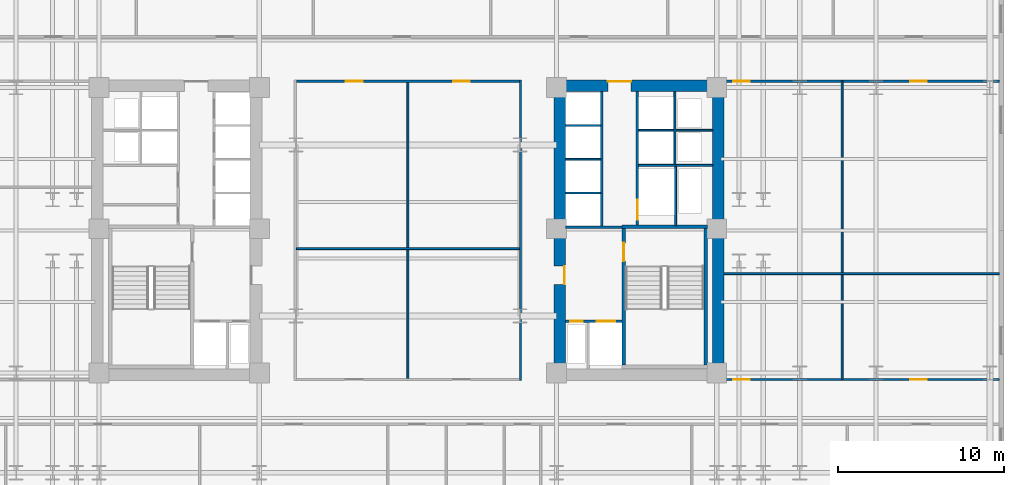
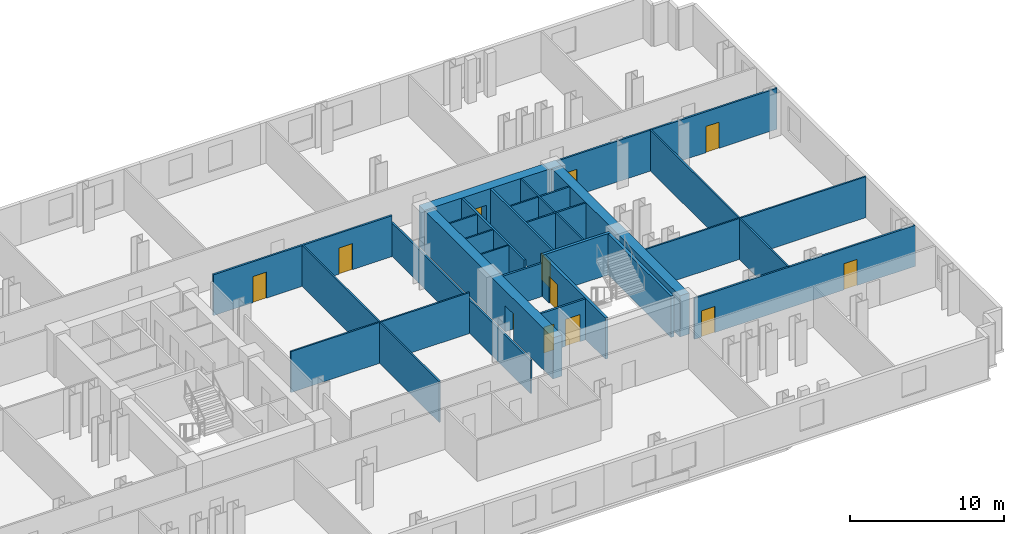
# One storey, part 6 of 10: 26 walls, 12 doors, 12 openings.
"""IFC4 building model written with IfcOpenShell, lengths in metres."""

from ifc_helpers import new_model, si_unit, direction, frame, frame_2d, origin, place, context, subcontext, project, spatial, rectangle, extrude, material, layer, layer_set, type_object, element, fill, save


model = new_model("IFC4")

# Units and contexts
model_context = context("Model", 3, precision=1e-05, world=origin(), true_north=direction((0.0, 1.0)))
body_context = subcontext(model_context, "Body", "Model", "MODEL_VIEW")
ifc_project = project(units=[si_unit("LENGTHUNIT", "METRE"), si_unit("AREAUNIT", "SQUARE_METRE"), si_unit("VOLUMEUNIT", "CUBIC_METRE"), si_unit("PLANEANGLEUNIT", "RADIAN"), si_unit("MASSUNIT", "GRAM", prefix="KILO")], contexts=[model_context])

# Site, building, storey
site_placement = place(None, origin())
site = spatial("IfcSite", under=ifc_project, at=site_placement, CompositionType="ELEMENT")
building_placement = place(site_placement, origin())
building = spatial("IfcBuilding", under=site, at=building_placement, Name="Velakula Bourse", CompositionType="ELEMENT")
storey_placement = place(building_placement, frame((0.0, 0.0, 62.25)))
storey = spatial("IfcBuildingStorey", under=building, at=storey_placement, Name="L16", CompositionType="ELEMENT", Elevation=62.25)

# Wall, opening, door
ifc_material_1 = material(Name="Concrete M50 (fck 50 MPa)", Category="concrete")
ifc_layer_1 = layer(ifc_material_1, 0.2099609375, Name="Concrete M50 (fck 50 MPa)", Category="concrete")
ifc_layer_set_1 = layer_set([ifc_layer_1], Name="Concrete M50 (fck 50 MPa)")
wall_type_1 = type_object("IfcWallType", Name="WL-CORE-210", PredefinedType="SHEAR", material=ifc_layer_set_1)
wall_1_placement = place(storey_placement, frame((12.9951171875, -8.10009765625, 0.0), z_axis=(0.0, 0.0, 1.0), x_axis=(0.0, 1.0, 0.0)))
wall_1 = element("IfcWall", 1, at=wall_1_placement, inside=storey, type_object=wall_type_1, Name="L16 Core E Stairwell Shear Wall IN", PredefinedType="SHEAR", context=body_context, shape_type="SweptSolid", body=[
    extrude(rectangle(XDim=8.2001953125, YDim=0.2099609375, at=frame_2d((4.10009765625, 0.0))), origin(), (0.0, 0.0, 1.0), 3.27001953125),
])
opening_1_placement = place(wall_1_placement, frame((6.25, 0.0, 0.0)))
opening_1 = element("IfcOpeningElement", 2, at=opening_1_placement, cuts=wall_1, Name="Opening D-STE1", PredefinedType="OPENING", context=body_context, shape_type="SweptSolid", body=[
    extrude(rectangle(XDim=1.10009765625, YDim=2.14990234375, at=frame_2d((0.550048828125, 1.074951171875))), frame((0.0, 0.114990234375, 0.0), z_axis=(0.0, -1.0, 0.0), x_axis=(1.0, 0.0, 0.0)), (0.0, 0.0, 1.0), 0.22998046875),
])
ifc_material_2 = material(Name="Galvanised painted hollow steel fire door", Category="steel")
door_type_1 = type_object("IfcDoorType", Name="DR-FD120-1100x2150", OperationType="NOTDEFINED", PredefinedType="DOOR", material=ifc_material_2)
door_1_placement = place(opening_1_placement, origin())
door_1 = element("IfcDoor", 3, at=door_1_placement, inside=storey, type_object=door_type_1, Name="L16 Stair ST-E1 Fire Door", OperationType="SINGLE_SWING_RIGHT", OverallHeight=2.14990234375, OverallWidth=1.10009765625, PredefinedType="DOOR", context=body_context, shape_type="SweptSolid", body=[
    extrude(rectangle(XDim=1.10009765625, YDim=2.14990234375, at=frame_2d((0.550048828125, 1.074951171875))), frame((0.0, 0.02490234375, 0.0), z_axis=(0.0, -1.0, 0.0), x_axis=(1.0, 0.0, 0.0)), (0.0, 0.0, 1.0), 0.050048828125),
])
fill(opening_1, door_1)

# Walls
wall_2_placement = place(storey_placement, frame((17.925048828125, -8.10009765625, 0.0), z_axis=(0.0, 0.0, 1.0), x_axis=(0.0, 1.0, 0.0)))
element("IfcWall", 4, at=wall_2_placement, inside=storey, type_object=wall_type_1, Name="L16 Core E Stairwell Shear Wall OUT", PredefinedType="SHEAR", context=body_context, shape_type="SweptSolid", body=[
    extrude(rectangle(XDim=8.2001953125, YDim=0.2099609375, at=frame_2d((4.10009765625, 0.0))), origin(), (0.0, 0.0, 1.0), 3.27001953125),
])
wall_3_placement = place(storey_placement, frame((18.030029296875, 0.205078125, 0.0), z_axis=(0.0, 0.0, 1.0), x_axis=(-1.0, 0.0, 0.0)))
element("IfcWall", 5, at=wall_3_placement, inside=storey, type_object=wall_type_1, Name="L16 Core E Stairwell Shear Wall N", PredefinedType="SHEAR", context=body_context, shape_type="SweptSolid", body=[
    extrude(rectangle(XDim=5.14013671875, YDim=0.2099609375, at=frame_2d((2.570068359375, 0.0))), origin(), (0.0, 0.0, 1.0), 3.27001953125),
])

# Wall, opening, door
ifc_material_3 = material(Name="Concrete M70 (fck 70 MPa)", Category="concrete")
ifc_layer_2 = layer(ifc_material_3, 0.699951171875, Name="Concrete M70 (fck 70 MPa)", Category="concrete")
ifc_layer_set_2 = layer_set([ifc_layer_2], Name="Concrete M70 (fck 70 MPa)")
wall_type_2 = type_object("IfcWallType", Name="WL-CORE-700", PredefinedType="SHEAR", material=ifc_layer_set_2)
wall_4_placement = place(storey_placement, frame((8.800048828125, 8.699951171875, 0.0), z_axis=(0.0, 0.0, 1.0), x_axis=(1.0, 0.0, 0.0)))
wall_4 = element("IfcWall", 6, at=wall_4_placement, inside=storey, type_object=wall_type_2, Name="L16 Core E Shear Wall N", PredefinedType="SHEAR", context=body_context, shape_type="SweptSolid", body=[
    extrude(rectangle(XDim=10.25, YDim=0.699951171875, at=frame_2d((5.125, 0.0))), origin(), (0.0, 0.0, 1.0), 3.27001953125),
])
opening_2_placement = place(wall_4_placement, frame((3.25, 0.0, 0.0)))
opening_2 = element("IfcOpeningElement", 7, at=opening_2_placement, cuts=wall_4, Name="Opening D-LLE", PredefinedType="OPENING", context=body_context, shape_type="SweptSolid", body=[
    extrude(rectangle(XDim=1.39990234375, YDim=2.050048828125, at=frame_2d((0.699951171875, 1.02490234375))), frame((0.0, 0.35986328125, 0.0), z_axis=(0.0, -1.0, 0.0), x_axis=(1.0, 0.0, 0.0)), (0.0, 0.0, 1.0), 0.719970703125),
])
ifc_material_4 = material(Name="Fire-rated hardwood flush architectural door", Category="wood")
door_type_2 = type_object("IfcDoorType", Name="DR-DBL-FD60-1400", OperationType="DOUBLE_DOOR_SINGLE_SWING", PredefinedType="DOOR", material=ifc_material_4)
door_2_placement = place(opening_2_placement, origin())
door_2 = element("IfcDoor", 8, at=door_2_placement, inside=storey, type_object=door_type_2, Name="L16 Core E Lift Lobby Corridor Double Door", OperationType="DOUBLE_DOOR_SINGLE_SWING", OverallHeight=2.050048828125, OverallWidth=1.39990234375, PredefinedType="DOOR", context=body_context, shape_type="SweptSolid", body=[
    extrude(rectangle(XDim=1.39990234375, YDim=2.050048828125, at=frame_2d((0.699951171875, 1.02490234375))), frame((0.0, 0.294921875, 0.0), z_axis=(0.0, -1.0, 0.0), x_axis=(1.0, 0.0, 0.0)), (0.0, 0.0, 1.0), 0.050048828125),
])
fill(opening_2, door_2)

wall_5_placement = place(storey_placement, frame((9.14990234375, -8.35009765625, 0.0), z_axis=(0.0, 0.0, 1.0), x_axis=(0.0, 1.0, 0.0)))
wall_5 = element("IfcWall", 9, at=wall_5_placement, inside=storey, type_object=wall_type_2, Name="L16 Core E Shear Wall W", PredefinedType="SHEAR", context=body_context, shape_type="SweptSolid", body=[
    extrude(rectangle(XDim=16.7001953125, YDim=0.699951171875, at=frame_2d((8.35009765625, 0.0))), origin(), (0.0, 0.0, 1.0), 3.27001953125),
])
opening_3_placement = place(wall_5_placement, frame((5.10009765625, 0.0, 0.0)))
opening_3 = element("IfcOpeningElement", 10, at=opening_3_placement, cuts=wall_5, Name="Opening D-FLE", PredefinedType="OPENING", context=body_context, shape_type="SweptSolid", body=[
    extrude(rectangle(XDim=1.10009765625, YDim=2.080078125, at=frame_2d((0.550048828125, 1.0400390625))), frame((0.0, 0.35986328125, 0.0), z_axis=(0.0, -1.0, 0.0), x_axis=(1.0, 0.0, 0.0)), (0.0, 0.0, 1.0), 0.719970703125),
])
door_type_3 = type_object("IfcDoorType", Name="DR-FD120-1100", OperationType="NOTDEFINED", PredefinedType="DOOR", material=ifc_material_2)
door_3_placement = place(opening_3_placement, origin())
door_3 = element("IfcDoor", 11, at=door_3_placement, inside=storey, type_object=door_type_3, Name="L16 Firefighting Lobby E Corridor Fire Door", OperationType="SINGLE_SWING_RIGHT", OverallHeight=2.080078125, OverallWidth=1.10009765625, PredefinedType="DOOR", context=body_context, shape_type="SweptSolid", body=[
    extrude(rectangle(XDim=1.10009765625, YDim=2.080078125, at=frame_2d((0.550048828125, 1.0400390625))), frame((0.0, -0.2548828125, 0.0), z_axis=(0.0, -1.0, 0.0), x_axis=(1.0, 0.0, 0.0)), (0.0, 0.0, 1.0), 0.050048828125),
])
fill(opening_3, door_3)

# Walls
wall_6_placement = place(storey_placement, frame((18.699951171875, -8.35009765625, 0.0), z_axis=(0.0, 0.0, 1.0), x_axis=(0.0, 1.0, 0.0)))
element("IfcWall", 12, at=wall_6_placement, inside=storey, type_object=wall_type_2, Name="L16 Core E Shear Wall E", PredefinedType="SHEAR", context=body_context, shape_type="SweptSolid", body=[
    extrude(rectangle(XDim=16.7001953125, YDim=0.699951171875, at=frame_2d((8.35009765625, 0.0))), origin(), (0.0, 0.0, 1.0), 3.27001953125),
])
ifc_material_5 = material(Name="Fire-rated double-layer gypsum drywall partition", Category="gypsum")
ifc_layer_3 = layer(ifc_material_5, 0.1201171875, Name="Fire-rated double-layer gypsum drywall partition", Category="gypsum")
ifc_layer_set_3 = layer_set([ifc_layer_3], Name="Fire-rated double-layer gypsum drywall partition")
wall_type_3 = type_object("IfcWallType", Name="WL-PART-120", PredefinedType="STANDARD", material=ifc_layer_set_3)
for number, where, z_axis, x_axis, name in (
    (13, (9.5, 2.2548828125, 0.0), (0.0, 0.0, 1.0), (1.0, 0.0, 0.0), "L16 Interior Partition WL-CRE-L16-BDIV-0"),
    (14, (9.5, 4.284912109375, 0.0), (0.0, 0.0, 1.0), (1.0, 0.0, 0.0), "L16 Interior Partition WL-CRE-L16-BDIV-1"),
    (15, (9.5, 6.31494140625, 0.0), (0.0, 0.0, 1.0), (1.0, 0.0, 0.0), "L16 Interior Partition WL-CRE-L16-BDIV-2"),
):
    element("IfcWall", number, at=place(storey_placement, frame(where, z_axis=z_axis, x_axis=x_axis)), inside=storey, type_object=wall_type_3, Name=name, PredefinedType="STANDARD", context=body_context, shape_type="SweptSolid", body=[
        extrude(rectangle(XDim=2.10009765625, YDim=0.110107421875, at=frame_2d((1.050048828125, 0.0))), origin(), (0.0, 0.0, 1.0), 3.25),
    ])
wall_7_placement = place(storey_placement, frame((13.89990234375, 3.919921875, 0.0), z_axis=(0.0, 0.0, 1.0), x_axis=(1.0, 0.0, 0.0)))
element("IfcWall", 16, at=wall_7_placement, inside=storey, type_object=wall_type_3, Name="L16 Interior Partition WL-CRE-L16-HI-S", PredefinedType="STANDARD", context=body_context, shape_type="SweptSolid", body=[
    extrude(rectangle(XDim=4.4501953125, YDim=0.1201171875, at=frame_2d((2.22509765625, 0.0))), origin(), (0.0, 0.0, 1.0), 3.25),
])
wall_8_placement = place(storey_placement, frame((16.14990234375, 6.030029296875, 0.0), z_axis=(0.0, 0.0, 1.0), x_axis=(1.0, 0.0, 0.0)))
element("IfcWall", 17, at=wall_8_placement, inside=storey, type_object=wall_type_3, Name="L16 Interior Partition WL-CRE-L16-RIS-MID", PredefinedType="STANDARD", context=body_context, shape_type="SweptSolid", body=[
    extrude(rectangle(XDim=2.2001953125, YDim=0.1201171875, at=frame_2d((1.10009765625, 0.0))), origin(), (0.0, 0.0, 1.0), 3.25),
])
wall_9_placement = place(storey_placement, frame((16.074951171875, 3.97998046875, 0.0), z_axis=(0.0, 0.0, 1.0), x_axis=(0.0, 1.0, 0.0)))
element("IfcWall", 18, at=wall_9_placement, inside=storey, type_object=wall_type_3, Name="L16 Interior Partition WL-CRE-L16-RIS-F", PredefinedType="STANDARD", context=body_context, shape_type="SweptSolid", body=[
    extrude(rectangle(XDim=4.3701171875, YDim=0.1201171875, at=frame_2d((2.18505859375, 0.0))), origin(), (0.0, 0.0, 1.0), 3.25),
])
wall_10_placement = place(storey_placement, frame((13.89990234375, 6.030029296875, 0.0), z_axis=(0.0, 0.0, 1.0), x_axis=(1.0, 0.0, 0.0)))
element("IfcWall", 19, at=wall_10_placement, inside=storey, type_object=wall_type_3, Name="L16 Interior Partition WL-CRE-L16-HI-DIV", PredefinedType="STANDARD", context=body_context, shape_type="SweptSolid", body=[
    extrude(rectangle(XDim=2.10009765625, YDim=0.1201171875, at=frame_2d((1.050048828125, 0.0))), origin(), (0.0, 0.0, 1.0), 3.25),
])
wall_11_placement = place(storey_placement, frame((16.125, 0.27001953125, 0.0), z_axis=(0.0, 0.0, 1.0), x_axis=(0.0, 1.0, 0.0)))
element("IfcWall", 20, at=wall_11_placement, inside=storey, type_object=wall_type_3, Name="L16 Interior Partition WL-CRE-L16-SVL-E", PredefinedType="STANDARD", context=body_context, shape_type="SweptSolid", body=[
    extrude(rectangle(XDim=3.590087890625, YDim=0.1201171875, at=frame_2d((1.794921875, 0.0))), origin(), (0.0, 0.0, 1.0), 3.25),
])
wall_12_placement = place(storey_placement, frame((19.050048828125, -2.60009765625, 0.0), z_axis=(0.0, 0.0, 1.0), x_axis=(1.0, 0.0, 0.0)))
element("IfcWall", 21, at=wall_12_placement, inside=storey, type_object=wall_type_3, Name="L16 Interior Partition WL-INT-L16-E-H", PredefinedType="STANDARD", context=body_context, shape_type="SweptSolid", body=[
    extrude(rectangle(XDim=16.570068359375, YDim=0.1201171875, at=frame_2d((8.28515625, 0.0))), origin(), (0.0, 0.0, 1.0), 3.25),
])
wall_13_placement = place(storey_placement, frame((26.155029296875, -8.97998046875, 0.0), z_axis=(0.0, 0.0, 1.0), x_axis=(0.0, 1.0, 0.0)))
element("IfcWall", 22, at=wall_13_placement, inside=storey, type_object=wall_type_3, Name="L16 Interior Partition WL-INT-L16-E-V1", PredefinedType="STANDARD", context=body_context, shape_type="SweptSolid", body=[
    extrude(rectangle(XDim=17.9599609375, YDim=0.1201171875, at=frame_2d((8.97998046875, 0.0))), origin(), (0.0, 0.0, 1.0), 3.25),
])

# Wall, openings, doors
ifc_layer_4 = layer(ifc_material_5, 0.139892578125, Name="Fire-rated double-layer gypsum drywall partition", Category="gypsum")
ifc_layer_set_4 = layer_set([ifc_layer_4], Name="Fire-rated double-layer gypsum drywall partition")
wall_type_4 = type_object("IfcWallType", Name="WL-PART-140", PredefinedType="STANDARD", material=ifc_layer_set_4)
wall_14_placement = place(storey_placement, frame((19.050048828125, 8.97998046875, 0.0), z_axis=(0.0, 0.0, 1.0), x_axis=(1.0, 0.0, 0.0)))
wall_14 = element("IfcWall", 23, at=wall_14_placement, inside=storey, type_object=wall_type_4, Name="L16 Interior Partition WL-INT-L16-E-NC", PredefinedType="STANDARD", context=body_context, shape_type="SweptSolid", body=[
    extrude(rectangle(XDim=16.570068359375, YDim=0.139892578125, at=frame_2d((8.28515625, 0.0))), origin(), (0.0, 0.0, 1.0), 3.25),
])
opening_4_placement = place(wall_14_placement, frame((0.531982421875, 0.0, 0.0)))
opening_4 = element("IfcOpeningElement", 24, at=opening_4_placement, cuts=wall_14, Name="Opening D-OF1", PredefinedType="OPENING", context=body_context, shape_type="SweptSolid", body=[
    extrude(rectangle(XDim=1.0, YDim=2.080078125, at=frame_2d((0.5, 1.0400390625))), frame((0.0, 0.079833984375, 0.0), z_axis=(0.0, -1.0, 0.0), x_axis=(1.0, 0.0, 0.0)), (0.0, 0.0, 1.0), 0.159912109375),
])
opening_5_placement = place(wall_14_placement, frame((11.20751953125, 0.0, 0.0)))
opening_5 = element("IfcOpeningElement", 25, at=opening_5_placement, cuts=wall_14, Name="Opening D-OF1", PredefinedType="OPENING", context=body_context, shape_type="SweptSolid", body=[
    extrude(rectangle(XDim=1.0, YDim=2.080078125, at=frame_2d((0.5, 1.0400390625))), frame((0.0, 0.079833984375, 0.0), z_axis=(0.0, -1.0, 0.0), x_axis=(1.0, 0.0, 0.0)), (0.0, 0.0, 1.0), 0.159912109375),
])
door_type_4 = type_object("IfcDoorType", Name="DR-OFF-1000", OperationType="NOTDEFINED", PredefinedType="DOOR", material=ifc_material_4)
door_4_placement = place(opening_4_placement, origin())
door_4 = element("IfcDoor", 26, at=door_4_placement, inside=storey, type_object=door_type_4, Name="L16 Chief Risk Officer Chamber Door", OperationType="SINGLE_SWING_LEFT", OverallHeight=2.080078125, OverallWidth=1.0, PredefinedType="DOOR", context=body_context, shape_type="SweptSolid", body=[
    extrude(rectangle(XDim=1.0, YDim=2.080078125, at=frame_2d((0.5, 1.0400390625))), frame((0.0, 0.02490234375, 0.0), z_axis=(0.0, -1.0, 0.0), x_axis=(1.0, 0.0, 0.0)), (0.0, 0.0, 1.0), 0.050048828125),
])
fill(opening_4, door_4)
door_5_placement = place(opening_5_placement, origin())
door_5 = element("IfcDoor", 27, at=door_5_placement, inside=storey, type_object=door_type_4, Name="L16 Disciplinary Hearing Room Door", OperationType="SINGLE_SWING_RIGHT", OverallHeight=2.080078125, OverallWidth=1.0, PredefinedType="DOOR", context=body_context, shape_type="SweptSolid", body=[
    extrude(rectangle(XDim=1.0, YDim=2.080078125, at=frame_2d((0.5, 1.0400390625))), frame((0.0, 0.02490234375, 0.0), z_axis=(0.0, -1.0, 0.0), x_axis=(1.0, 0.0, 0.0)), (0.0, 0.0, 1.0), 0.050048828125),
])
fill(opening_5, door_5)

wall_15_placement = place(storey_placement, frame((19.050048828125, -8.97998046875, 0.0), z_axis=(0.0, 0.0, 1.0), x_axis=(1.0, 0.0, 0.0)))
wall_15 = element("IfcWall", 28, at=wall_15_placement, inside=storey, type_object=wall_type_4, Name="L16 Interior Partition WL-INT-L16-E-SC", PredefinedType="STANDARD", context=body_context, shape_type="SweptSolid", body=[
    extrude(rectangle(XDim=16.570068359375, YDim=0.139892578125, at=frame_2d((8.28515625, 0.0))), origin(), (0.0, 0.0, 1.0), 3.25),
])
opening_6_placement = place(wall_15_placement, frame((0.531982421875, 0.0, 0.0)))
opening_6 = element("IfcOpeningElement", 29, at=opening_6_placement, cuts=wall_15, Name="Opening D-OF1", PredefinedType="OPENING", context=body_context, shape_type="SweptSolid", body=[
    extrude(rectangle(XDim=1.0, YDim=2.080078125, at=frame_2d((0.5, 1.0400390625))), frame((0.0, 0.079833984375, 0.0), z_axis=(0.0, -1.0, 0.0), x_axis=(1.0, 0.0, 0.0)), (0.0, 0.0, 1.0), 0.159912109375),
])
opening_7_placement = place(wall_15_placement, frame((11.20751953125, 0.0, 0.0)))
opening_7 = element("IfcOpeningElement", 30, at=opening_7_placement, cuts=wall_15, Name="Opening D-OF1", PredefinedType="OPENING", context=body_context, shape_type="SweptSolid", body=[
    extrude(rectangle(XDim=1.0, YDim=2.080078125, at=frame_2d((0.5, 1.0400390625))), frame((0.0, 0.079833984375, 0.0), z_axis=(0.0, -1.0, 0.0), x_axis=(1.0, 0.0, 0.0)), (0.0, 0.0, 1.0), 0.159912109375),
])
door_6_placement = place(opening_6_placement, origin())
door_6 = element("IfcDoor", 31, at=door_6_placement, inside=storey, type_object=door_type_4, Name="L16 Chief Risk Officer Chamber Door", OperationType="SINGLE_SWING_LEFT", OverallHeight=2.080078125, OverallWidth=1.0, PredefinedType="DOOR", context=body_context, shape_type="SweptSolid", body=[
    extrude(rectangle(XDim=1.0, YDim=2.080078125, at=frame_2d((0.5, 1.0400390625))), frame((0.0, 0.02490234375, 0.0), z_axis=(0.0, -1.0, 0.0), x_axis=(1.0, 0.0, 0.0)), (0.0, 0.0, 1.0), 0.050048828125),
])
fill(opening_6, door_6)
door_7_placement = place(opening_7_placement, origin())
door_7 = element("IfcDoor", 32, at=door_7_placement, inside=storey, type_object=door_type_4, Name="L16 Disciplinary Hearing Room Door", OperationType="SINGLE_SWING_RIGHT", OverallHeight=2.080078125, OverallWidth=1.0, PredefinedType="DOOR", context=body_context, shape_type="SweptSolid", body=[
    extrude(rectangle(XDim=1.0, YDim=2.080078125, at=frame_2d((0.5, 1.0400390625))), frame((0.0, 0.02490234375, 0.0), z_axis=(0.0, -1.0, 0.0), x_axis=(1.0, 0.0, 0.0)), (0.0, 0.0, 1.0), 0.050048828125),
])
fill(opening_7, door_7)

# Wall
wall_16_placement = place(storey_placement, frame((6.780029296875, -9.050048828125, 0.0), z_axis=(0.0, 0.0, 1.0), x_axis=(0.0, 1.0, 0.0)))
element("IfcWall", 33, at=wall_16_placement, inside=storey, type_object=wall_type_4, Name="L16 Interior Partition WL-INT-L16-MID-E", PredefinedType="STANDARD", context=body_context, shape_type="SweptSolid", body=[
    extrude(rectangle(XDim=18.10009765625, YDim=0.139892578125, at=frame_2d((9.050048828125, 0.0))), origin(), (0.0, 0.0, 1.0), 2.64501953125),
])

# Wall, openings, doors
wall_17_placement = place(storey_placement, frame((-6.7099609375, 8.97998046875, 0.0), z_axis=(0.0, 0.0, 1.0), x_axis=(1.0, 0.0, 0.0)))
wall_17 = element("IfcWall", 34, at=wall_17_placement, inside=storey, type_object=wall_type_4, Name="L16 Interior Partition WL-INT-L16-MID-N", PredefinedType="STANDARD", context=body_context, shape_type="SweptSolid", body=[
    extrude(rectangle(XDim=13.419921875, YDim=0.139892578125, at=frame_2d((6.7099609375, 0.0))), origin(), (0.0, 0.0, 1.0), 3.25),
])
opening_8_placement = place(wall_17_placement, frame((2.98095703125, 0.0, 0.0)))
opening_8 = element("IfcOpeningElement", 35, at=opening_8_placement, cuts=wall_17, Name="Opening D-OF1", PredefinedType="OPENING", context=body_context, shape_type="SweptSolid", body=[
    extrude(rectangle(XDim=1.0, YDim=2.080078125, at=frame_2d((0.5, 1.0400390625))), frame((0.0, 0.079833984375, 0.0), z_axis=(0.0, -1.0, 0.0), x_axis=(1.0, 0.0, 0.0)), (0.0, 0.0, 1.0), 0.159912109375),
])
opening_9_placement = place(wall_17_placement, frame((9.43896484375, 0.0, 0.0)))
opening_9 = element("IfcOpeningElement", 36, at=opening_9_placement, cuts=wall_17, Name="Opening D-OF1", PredefinedType="OPENING", context=body_context, shape_type="SweptSolid", body=[
    extrude(rectangle(XDim=1.0, YDim=2.080078125, at=frame_2d((0.5, 1.0400390625))), frame((0.0, 0.079833984375, 0.0), z_axis=(0.0, -1.0, 0.0), x_axis=(1.0, 0.0, 0.0)), (0.0, 0.0, 1.0), 0.159912109375),
])
door_8_placement = place(opening_8_placement, origin())
door_8 = element("IfcDoor", 37, at=door_8_placement, inside=storey, type_object=door_type_4, Name="L16 Exchange Governance Office NW Door", OperationType="SINGLE_SWING_LEFT", OverallHeight=2.080078125, OverallWidth=1.0, PredefinedType="DOOR", context=body_context, shape_type="SweptSolid", body=[
    extrude(rectangle(XDim=1.0, YDim=2.080078125, at=frame_2d((0.5, 1.0400390625))), frame((0.0, 0.02490234375, 0.0), z_axis=(0.0, -1.0, 0.0), x_axis=(1.0, 0.0, 0.0)), (0.0, 0.0, 1.0), 0.050048828125),
])
fill(opening_8, door_8)
door_9_placement = place(opening_9_placement, origin())
door_9 = element("IfcDoor", 38, at=door_9_placement, inside=storey, type_object=door_type_4, Name="L16 Exchange Governance Office NE Door", OperationType="SINGLE_SWING_RIGHT", OverallHeight=2.080078125, OverallWidth=1.0, PredefinedType="DOOR", context=body_context, shape_type="SweptSolid", body=[
    extrude(rectangle(XDim=1.0, YDim=2.080078125, at=frame_2d((0.5, 1.0400390625))), frame((0.0, 0.02490234375, 0.0), z_axis=(0.0, -1.0, 0.0), x_axis=(1.0, 0.0, 0.0)), (0.0, 0.0, 1.0), 0.050048828125),
])
fill(opening_9, door_9)

# Walls
wall_18_placement = place(storey_placement, frame((-6.7099609375, -1.10009765625, 0.0), z_axis=(0.0, 0.0, 1.0), x_axis=(1.0, 0.0, 0.0)))
element("IfcWall", 39, at=wall_18_placement, inside=storey, type_object=wall_type_4, Name="L16 Interior Partition WL-INT-L16-MD4H", PredefinedType="STANDARD", context=body_context, shape_type="SweptSolid", body=[
    extrude(rectangle(XDim=13.419921875, YDim=0.1201171875, at=frame_2d((6.7099609375, 0.0))), origin(), (0.0, 0.0, 1.0), 3.25),
])
wall_19_placement = place(storey_placement, frame((0.0, -8.909912109375, 0.0), z_axis=(0.0, 0.0, 1.0), x_axis=(0.0, 1.0, 0.0)))
element("IfcWall", 40, at=wall_19_placement, inside=storey, type_object=wall_type_4, Name="L16 Interior Partition WL-INT-L16-MD4V", PredefinedType="STANDARD", context=body_context, shape_type="SweptSolid", body=[
    extrude(rectangle(XDim=17.81982421875, YDim=0.1201171875, at=frame_2d((8.909912109375, 0.0))), origin(), (0.0, 0.0, 1.0), 3.25),
])

# Wall, openings, doors
ifc_material_6 = material(Name="Autoclaved aerated concrete blockwork masonry", Category="masonry")
ifc_layer_5 = layer(ifc_material_6, 0.14990234375, Name="Autoclaved aerated concrete blockwork masonry", Category="masonry")
ifc_layer_set_5 = layer_set([ifc_layer_5], Name="Autoclaved aerated concrete blockwork masonry")
wall_type_5 = type_object("IfcWallType", Name="WL-SHAFT-150", PredefinedType="STANDARD", material=ifc_layer_set_5)
wall_20_placement = place(storey_placement, frame((9.5, -5.47509765625, 0.0), z_axis=(0.0, 0.0, 1.0), x_axis=(1.0, 0.0, 0.0)))
wall_20 = element("IfcWall", 41, at=wall_20_placement, inside=storey, type_object=wall_type_5, Name="L16 Interior Partition WL-CRE-L16-FFL-N", PredefinedType="STANDARD", context=body_context, shape_type="SweptSolid", body=[
    extrude(rectangle(XDim=3.39501953125, YDim=0.14990234375, at=frame_2d((1.697509765625, 0.0))), origin(), (0.0, 0.0, 1.0), 3.25),
])
opening_10_placement = place(wall_20_placement, frame((1.875, 0.0, 0.0)))
opening_10 = element("IfcOpeningElement", 42, at=opening_10_placement, cuts=wall_20, Name="Opening LD-FFL-2", PredefinedType="OPENING", context=body_context, shape_type="SweptSolid", body=[
    extrude(rectangle(XDim=1.10009765625, YDim=2.14990234375, at=frame_2d((0.550048828125, 1.074951171875))), frame((0.0, 0.0849609375, 0.0), z_axis=(0.0, -1.0, 0.0), x_axis=(1.0, 0.0, 0.0)), (0.0, 0.0, 1.0), 0.169921875),
])
opening_11_placement = place(wall_20_placement, frame((0.27490234375, 0.0, 0.0)))
opening_11 = element("IfcOpeningElement", 43, at=opening_11_placement, cuts=wall_20, Name="Opening D-RS1", PredefinedType="OPENING", context=body_context, shape_type="SweptSolid", body=[
    extrude(rectangle(XDim=0.75, YDim=2.050048828125, at=frame_2d((0.375, 1.02490234375))), frame((0.0, 0.0849609375, 0.0), z_axis=(0.0, -1.0, 0.0), x_axis=(1.0, 0.0, 0.0)), (0.0, 0.0, 1.0), 0.169921875),
])
door_type_5 = type_object("IfcDoorType", Name="DR-RISER-800", OperationType="NOTDEFINED", PredefinedType="DOOR", material=ifc_material_2)
door_10_placement = place(opening_11_placement, origin())
door_10 = element("IfcDoor", 44, at=door_10_placement, inside=storey, type_object=door_type_5, Name="L16 Fire Riser Access Door", OperationType="SINGLE_SWING_LEFT", OverallHeight=2.050048828125, OverallWidth=0.75, PredefinedType="DOOR", context=body_context, shape_type="SweptSolid", body=[
    extrude(rectangle(XDim=0.75, YDim=2.050048828125, at=frame_2d((0.375, 1.02490234375))), frame((0.0, 0.02490234375, 0.0), z_axis=(0.0, -1.0, 0.0), x_axis=(1.0, 0.0, 0.0)), (0.0, 0.0, 1.0), 0.050048828125),
])
fill(opening_11, door_10)
ifc_material_7 = material(Name="Brushed grade 316 stainless steel", Category="steel")
door_type_6 = type_object("IfcDoorType", Name="DR-SLIDE-FFL-1100", OperationType="DOUBLE_DOOR_SLIDING", PredefinedType="DOOR", material=ifc_material_7)
door_11_placement = place(opening_10_placement, origin())
door_11 = element("IfcDoor", 45, at=door_11_placement, inside=storey, type_object=door_type_6, Name="L16 Firefighting Lift FFL-2 Sliding Landing Door", OperationType="DOUBLE_DOOR_SLIDING", OverallHeight=2.14990234375, OverallWidth=1.10009765625, PredefinedType="DOOR", context=body_context, shape_type="SweptSolid", body=[
    extrude(rectangle(XDim=1.10009765625, YDim=2.14990234375, at=frame_2d((0.550048828125, 1.074951171875))), frame((0.0, 0.02490234375, 0.0), z_axis=(0.0, -1.0, 0.0), x_axis=(1.0, 0.0, 0.0)), (0.0, 0.0, 1.0), 0.050048828125),
])
fill(opening_10, door_11)

# Walls
wall_21_placement = place(storey_placement, frame((9.5, 0.18994140625, 0.0), z_axis=(0.0, 0.0, 1.0), x_axis=(1.0, 0.0, 0.0)))
element("IfcWall", 46, at=wall_21_placement, inside=storey, type_object=wall_type_5, Name="L16 Interior Partition WL-CRE-L16-FF-TOP", PredefinedType="STANDARD", context=body_context, shape_type="SweptSolid", body=[
    extrude(rectangle(XDim=3.389892578125, YDim=0.14990234375, at=frame_2d((1.69482421875, 0.0))), origin(), (0.0, 0.0, 1.0), 2.64501953125),
])
wall_22_placement = place(storey_placement, frame((11.675048828125, 0.27001953125, 0.0), z_axis=(0.0, 0.0, 1.0), x_axis=(0.0, 1.0, 0.0)))
element("IfcWall", 47, at=wall_22_placement, inside=storey, type_object=wall_type_5, Name="L16 Interior Partition WL-CRE-L16-BANK-F", PredefinedType="STANDARD", context=body_context, shape_type="SweptSolid", body=[
    extrude(rectangle(XDim=8.080078125, YDim=0.14990234375, at=frame_2d((4.0400390625, 0.0))), origin(), (0.0, 0.0, 1.0), 3.25),
])

# Wall, opening, door
wall_23_placement = place(storey_placement, frame((13.824951171875, 0.27001953125, 0.0), z_axis=(0.0, 0.0, 1.0), x_axis=(0.0, 1.0, 0.0)))
wall_23 = element("IfcWall", 48, at=wall_23_placement, inside=storey, type_object=wall_type_5, Name="L16 Interior Partition WL-CRE-L16-OUT-F", PredefinedType="STANDARD", context=body_context, shape_type="SweptSolid", body=[
    extrude(rectangle(XDim=8.080078125, YDim=0.14990234375, at=frame_2d((4.0400390625, 0.0))), origin(), (0.0, 0.0, 1.0), 3.25),
])
opening_12_placement = place(wall_23_placement, frame((0.3798828125, 0.0, 0.0)))
opening_12 = element("IfcOpeningElement", 49, at=opening_12_placement, cuts=wall_23, Name="Opening LD-SVL1", PredefinedType="OPENING", context=body_context, shape_type="SweptSolid", body=[
    extrude(rectangle(XDim=1.199951171875, YDim=2.10009765625, at=frame_2d((0.60009765625, 1.050048828125))), frame((0.0, 0.0849609375, 0.0), z_axis=(0.0, -1.0, 0.0), x_axis=(1.0, 0.0, 0.0)), (0.0, 0.0, 1.0), 0.169921875),
])
door_type_7 = type_object("IfcDoorType", Name="DR-SLIDE-LD-1200", OperationType="DOUBLE_DOOR_SLIDING", PredefinedType="DOOR", material=ifc_material_7)
door_12_placement = place(opening_12_placement, origin())
door_12 = element("IfcDoor", 50, at=door_12_placement, inside=storey, type_object=door_type_7, Name="L16 Service Lift SVL-1 Sliding Landing Door", OperationType="DOUBLE_DOOR_SLIDING", OverallHeight=2.10009765625, OverallWidth=1.199951171875, PredefinedType="DOOR", context=body_context, shape_type="SweptSolid", body=[
    extrude(rectangle(XDim=1.199951171875, YDim=2.10009765625, at=frame_2d((0.60009765625, 1.050048828125))), frame((0.0, 0.02490234375, 0.0), z_axis=(0.0, -1.0, 0.0), x_axis=(1.0, 0.0, 0.0)), (0.0, 0.0, 1.0), 0.050048828125),
])
fill(opening_12, door_12)

save(model, "model.ifc")
